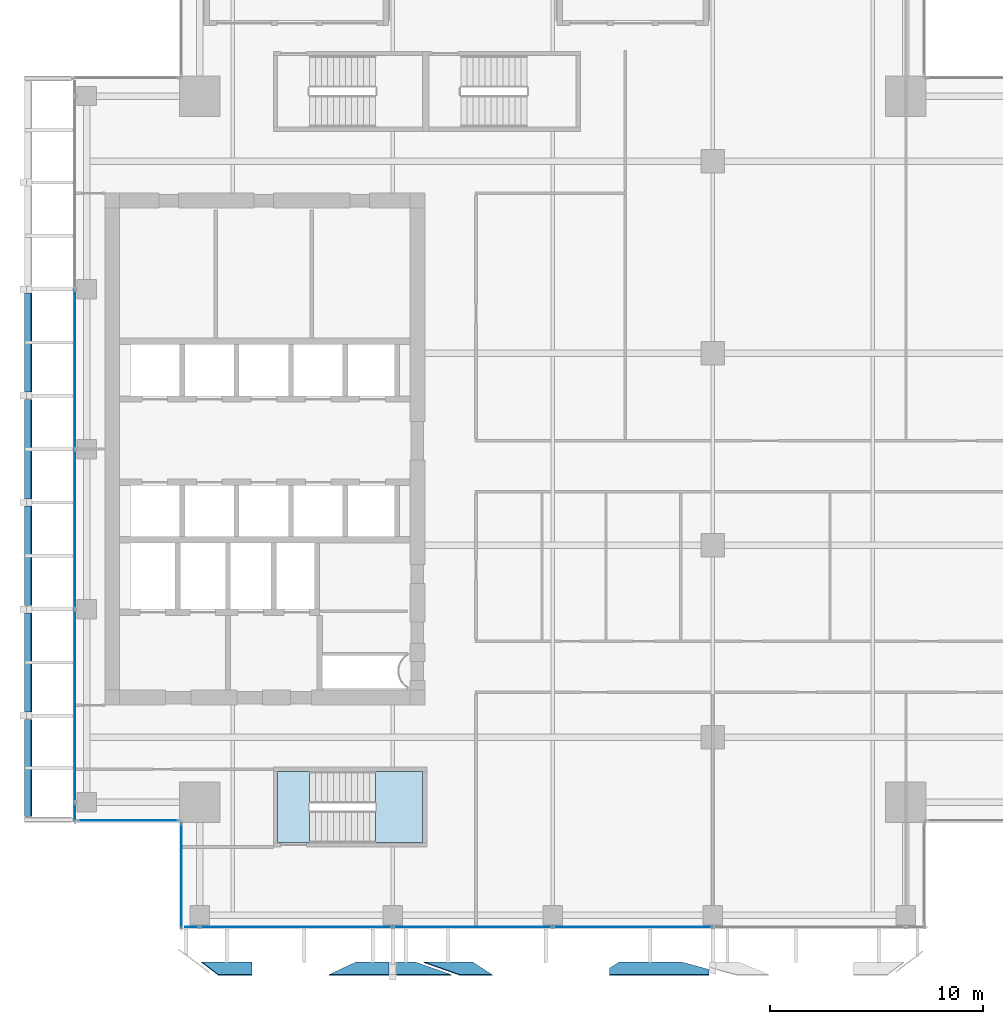
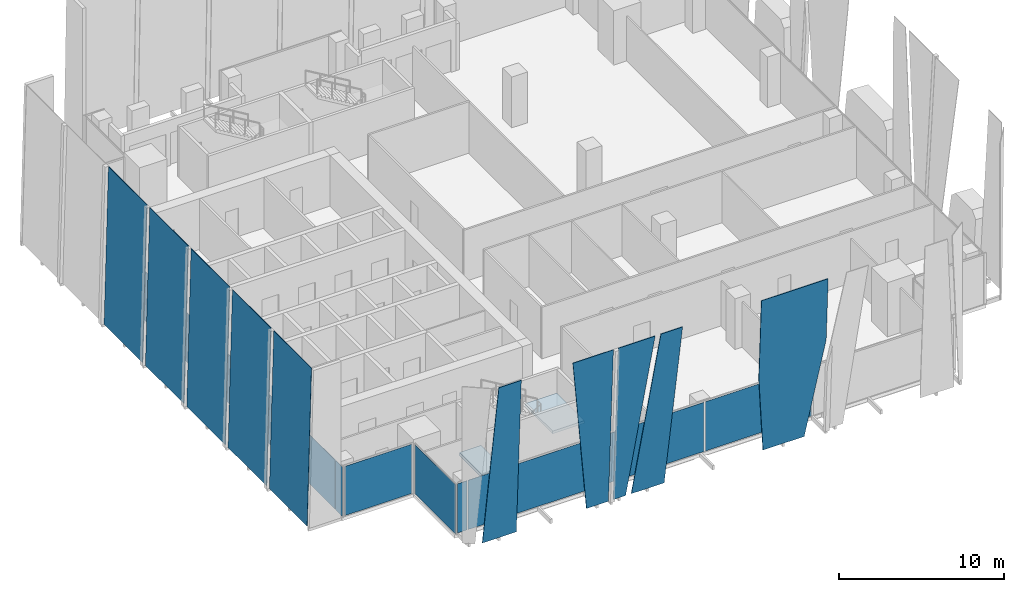
# One storey, part 21 of 33: 20 plates, 2 slabs, 5 elements without a shape of their own.
"""IFC4 building model written with IfcOpenShell, lengths in metres."""

from ifc_helpers import new_model, si_unit, direction, frame, origin, origin_2d, place, context, subcontext, project, spatial, polyline, rectangle, outline, extrude, source, transform, mapped, material, layer, layer_set, type_object, element, aggregate, save


model = new_model("IFC4")

# Units and contexts
model_context = context("Model", 3, precision=1e-05, world=origin(), true_north=direction((0.0, 1.0)))
body_context = subcontext(model_context, "Body", "Model", "MODEL_VIEW")
ifc_project = project(units=[si_unit("LENGTHUNIT", "METRE"), si_unit("AREAUNIT", "SQUARE_METRE"), si_unit("VOLUMEUNIT", "CUBIC_METRE"), si_unit("PLANEANGLEUNIT", "RADIAN"), si_unit("MASSUNIT", "GRAM", prefix="KILO")], contexts=[model_context])

# Site, building, storey
site_placement = place(None, origin())
site = spatial("IfcSite", under=ifc_project, at=site_placement, CompositionType="ELEMENT")
building_placement = place(site_placement, origin())
building = spatial("IfcBuilding", under=site, at=building_placement, Name="Khomas Fold Tower", CompositionType="ELEMENT")
storey_placement = place(building_placement, frame((0.0, 0.0, 234.199951171875)))
storey = spatial("IfcBuildingStorey", under=building, at=storey_placement, Name="L52", CompositionType="ELEMENT", Elevation=234.199951171875)

# Plates
ifc_material_1 = material(Name="Clear laminated glass", Category="glass")
ifc_layer_1 = layer(ifc_material_1, 0.0400390625)
ifc_layer_set_1 = layer_set([ifc_layer_1], Name="Clear laminated glass")
plate_type_1 = type_object("IfcPlateType", Name="SK-Clear laminated glass leaf", PredefinedType="SHEET", material=ifc_layer_set_1)
plate_1_placement = place(storey_placement, frame((12.89990234375, 2.97119140625, 0.0), z_axis=(0.0, 0.99862882819, 0.052349436554), x_axis=(-1.0, 0.0, 0.0)))
element("IfcPlate", 1, at=plate_1_placement, inside=storey, type_object=plate_type_1, Name="OUTER SKIN glass L52 SG098-1", PredefinedType="SHEET", context=body_context, shape_type="SweptSolid", body=[
    extrude(outline(polyline([(0.0, 0.0), (2.36865234375, 0.0), (1.569091796875, 11.565907674683308), (0.0, 11.565907674683308), (0.0, 0.0)])), origin(), (0.0, 0.0, -1.0), 0.0400390625),
])
plate_2_placement = place(storey_placement, frame((23.224365234375, 2.97119140625, 0.0), z_axis=(0.0, 0.99862882819, 0.052349436554), x_axis=(-1.0, 0.0, 0.0)))
element("IfcPlate", 2, at=plate_2_placement, inside=storey, type_object=plate_type_1, Name="OUTER SKIN glass L52 SG100-3", PredefinedType="SHEET", context=body_context, shape_type="SweptSolid", body=[
    extrude(outline(polyline([(0.0, 0.0), (2.28955078125, 0.0), (0.57373046875, 11.565907674683308), (-0.9384765625, 11.565907674683308), (0.0, 0.0)])), origin(), (0.0, 0.0, -1.0), 0.0400390625),
])
plate_3_placement = place(storey_placement, frame((17.80126953125, 2.97119140625, 0.0), z_axis=(0.0, 0.99862882819, 0.052349436554), x_axis=(-0.111637957414, -0.052022197367, 0.99238634485)))
element("IfcPlate", 3, at=plate_3_placement, inside=storey, type_object=plate_type_1, Name="OUTER SKIN glass L52 SG099-4", PredefinedType="SHEET", context=body_context, shape_type="SweptSolid", body=[
    extrude(outline(polyline([(0.0, 0.0), (11.638661583826925, -2.220446049250313e-16), (11.322935485515755, 2.8104462361821128), (-0.17067306868305843, 1.5192519277427825), (0.0, 0.0)])), origin(), (0.0, 0.0, -1.0), 0.0400390625),
])
plate_4_placement = place(storey_placement, frame((20.530517578125, 2.97119140625, 0.0), z_axis=(0.0, 0.99862882819, 0.052349436554), x_axis=(-1.0, 0.0, 0.0)))
element("IfcPlate", 4, at=plate_4_placement, inside=storey, type_object=plate_type_1, Name="OUTER SKIN glass L52 SG100-6", PredefinedType="SHEET", context=body_context, shape_type="SweptSolid", body=[
    extrude(outline(polyline([(0.0, 0.0), (0.860595703125, 0.0), (0.860595703125, 11.565907674683308), (-1.7158203125, 11.565907674683308), (0.0, 0.0)])), origin(), (0.0, 0.0, -1.0), 0.0400390625),
])
plate_5_placement = place(storey_placement, frame((33.00390625, 2.97119140625, 0.0), z_axis=(-9.178766e-06, 0.998628732803, 0.052351255351), x_axis=(-0.999999999958, -9.166179e-06, -4.8052e-07)))
element("IfcPlate", 5, at=plate_5_placement, inside=storey, type_object=plate_type_1, Name="OUTER SKIN glass L52 SG102-9", PredefinedType="SHEET", context=body_context, shape_type="SweptSolid", body=[
    extrude(outline(polyline([(0.0, 0.0), (2.8781738280037574, 3.0473850754336385e-22), (3.333984374385173, 5.615852425200217), (3.333984374666206, 11.565907674664128), (-1.3261718751374854, 11.565907674664128), (-1.3261718761399497, 6.904480598369583), (0.0, 0.0)])), origin(), (0.0, 0.0, -1.0), 0.0400390625),
])
plate_6_placement = place(storey_placement, frame((2.23486328125, 9.77001953125, 0.0009765625), z_axis=(-0.999657230839, 0.0, 0.026180543005), x_axis=(0.0, 1.0, 0.0)))
element("IfcPlate", 6, at=plate_6_placement, inside=storey, type_object=plate_type_1, Name="OUTER SKIN glass L52 W1", PredefinedType="SHEET", context=body_context, shape_type="SweptSolid", body=[
    extrude(outline(polyline([(0.0, 0.0), (4.56005859375, 0.0), (4.56005859375, -11.554009186164079), (0.0, -11.554009186164079), (0.0, 0.0)])), origin(), (0.0, 0.0, -1.0), 0.0400390625),
])
for number, where, z_axis, x_axis, name in (
    (7, (2.23486328125, 14.669921875, 0.0009765625), (-0.999657230839, 0.0, 0.026180543005), (0.0, 1.0, 0.0), "OUTER SKIN glass L52 W3"),
    (8, (2.23486328125, 19.669921875, 0.0009765625), (-0.999657230839, 0.0, 0.026180543005), (0.0, 1.0, 0.0), "OUTER SKIN glass L52 W5"),
    (9, (2.23486328125, 24.669921875, 0.0009765625), (-0.999657230839, 0.0, 0.026180543005), (0.0, 1.0, 0.0), "OUTER SKIN glass L52 W7"),
    (10, (2.23486328125, 29.669921875, 0.0009765625), (-0.999657230839, 0.0, 0.026180543005), (0.0, 1.0, 0.0), "OUTER SKIN glass L52 W9"),
):
    element("IfcPlate", number, at=place(storey_placement, frame(where, z_axis=z_axis, x_axis=x_axis)), inside=storey, type_object=plate_type_1, Name=name, PredefinedType="SHEET", context=body_context, shape_type="SweptSolid", body=[
        extrude(outline(polyline([(0.0, 0.0), (4.66015625, 0.0), (4.66015625, -11.554009186164079), (0.0, -11.554009186164079), (0.0, 0.0)])), origin(), (0.0, 0.0, -1.0), 0.0400390625),
    ])

# Curtain wall, plates
ifc_material_2 = material(Name="Aluminium framed double glazing", Category="aluminium")
curtain_wall_type = type_object("IfcCurtainWallType", Name="SK-Unitised clear-glass wall, office floors CW2", PredefinedType="NOTDEFINED", material=ifc_material_2)
curtain_wall_1_placement = place(storey_placement, origin())
curtain_wall_1 = element("IfcCurtainWall", 11, at=curtain_wall_1_placement, inside=storey, type_object=curtain_wall_type, Name="CW2 run L52 00-0", PredefinedType="NOTDEFINED")
ifc_material_3 = material(Name="Clear double glazed unit")
ifc_layer_2 = layer(ifc_material_3, 0.030029296875)
ifc_layer_set_2 = layer_set([ifc_layer_2], Name="Clear double glazed unit")
plate_type_2 = type_object("IfcPlateType", Name="SK-Unitised clear-glass wall, office floors glass panel CW2-P", PredefinedType="CURTAIN_PANEL", material=ifc_layer_set_2)
shared_shape_1 = source(origin(), body_context, "Body", "SweptSolid", [
    extrude(rectangle(XDim=0.659912109375, YDim=0.030029296875, at=origin_2d()), origin(), (0.0, 0.0, 1.0), 3.639892578125),
])
plate_7_placement = place(storey_placement, frame((10.090087890625, 4.60009765625, 0.0), z_axis=(0.0, 0.0, 1.0), x_axis=(1.0, 0.0, 0.0)))
plate_7 = element("IfcPlate", 12, at=plate_7_placement, type_object=plate_type_2, Name="CW2 glass panel 1", PredefinedType="CURTAIN_PANEL", context=body_context, shape_type="MappedRepresentation", body=[
    mapped(shared_shape_1, transform((0.0, 0.0, 0.0))),
])
shared_shape_2 = source(origin(), body_context, "Body", "SweptSolid", [
    extrude(rectangle(XDim=7.43994140625, YDim=0.030029296875, at=origin_2d()), origin(), (0.0, 0.0, 1.0), 3.639892578125),
])
plate_8_placement = place(storey_placement, frame((23.25, 4.60009765625, 0.0), z_axis=(0.0, 0.0, 1.0), x_axis=(1.0, 0.0, 0.0)))
plate_8 = element("IfcPlate", 13, at=plate_8_placement, type_object=plate_type_2, Name="CW2 glass panel 3", PredefinedType="CURTAIN_PANEL", context=body_context, shape_type="MappedRepresentation", body=[
    mapped(shared_shape_2, transform((0.0, 0.0, 0.0))),
])
plate_9_placement = place(storey_placement, frame((30.75, 4.60009765625, 0.0), z_axis=(0.0, 0.0, 1.0), x_axis=(1.0, 0.0, 0.0)))
plate_9 = element("IfcPlate", 14, at=plate_9_placement, type_object=plate_type_2, Name="CW2 glass panel 4", PredefinedType="CURTAIN_PANEL", context=body_context, shape_type="MappedRepresentation", body=[
    mapped(shared_shape_2, transform((0.0, 0.0, 0.0))),
])

curtain_wall_2_placement = place(storey_placement, origin())
curtain_wall_2 = element("IfcCurtainWall", 15, at=curtain_wall_2_placement, inside=storey, type_object=curtain_wall_type, Name="CW2 run L52 09-0", PredefinedType="NOTDEFINED")
plate_10_placement = place(storey_placement, frame((4.60009765625, 30.75, 0.0), z_axis=(0.0, 0.0, 1.0), x_axis=(0.0, -1.0, 0.0)))
plate_10 = element("IfcPlate", 16, at=plate_10_placement, type_object=plate_type_2, Name="CW2 glass panel 3", PredefinedType="CURTAIN_PANEL", context=body_context, shape_type="MappedRepresentation", body=[
    mapped(shared_shape_2, transform((0.0, 0.0, 0.0))),
])
plate_11_placement = place(storey_placement, frame((4.60009765625, 23.25, 0.0), z_axis=(0.0, 0.0, 1.0), x_axis=(0.0, -1.0, 0.0)))
plate_11 = element("IfcPlate", 17, at=plate_11_placement, type_object=plate_type_2, Name="CW2 glass panel 4", PredefinedType="CURTAIN_PANEL", context=body_context, shape_type="MappedRepresentation", body=[
    mapped(shared_shape_2, transform((0.0, 0.0, 0.0))),
])
shared_shape_3 = source(origin(), body_context, "Body", "SweptSolid", [
    extrude(rectangle(XDim=0.860107421875, YDim=0.030029296875, at=origin_2d()), origin(), (0.0, 0.0, 1.0), 3.639892578125),
])
plate_12_placement = place(storey_placement, frame((4.60009765625, 9.989990234375, 0.0), z_axis=(0.0, 0.0, 1.0), x_axis=(0.0, -1.0, 0.0)))
plate_12 = element("IfcPlate", 18, at=plate_12_placement, type_object=plate_type_2, Name="CW2 glass panel 6", PredefinedType="CURTAIN_PANEL", context=body_context, shape_type="MappedRepresentation", body=[
    mapped(shared_shape_3, transform((0.0, 0.0, 0.0))),
])

# Plate
shared_shape_4 = source(origin(), body_context, "Body", "SweptSolid", [
    extrude(rectangle(XDim=8.989990234375, YDim=0.030029296875, at=origin_2d()), origin(), (0.0, 0.0, 1.0), 3.639892578125),
])
plate_13_placement = place(storey_placement, frame((14.97509765625, 4.60009765625, 0.0), z_axis=(0.0, 0.0, 1.0), x_axis=(1.0, 0.0, 0.0)))
plate_13 = element("IfcPlate", 19, at=plate_13_placement, type_object=plate_type_2, Name="CW2 glass panel 2", PredefinedType="CURTAIN_PANEL", context=body_context, shape_type="MappedRepresentation", body=[
    mapped(shared_shape_4, transform((0.0, 0.0, 0.0))),
])

aggregate(curtain_wall_1, [plate_7, plate_13, plate_8, plate_9])

plate_14_placement = place(storey_placement, frame((4.60009765625, 14.97509765625, 0.0), z_axis=(0.0, 0.0, 1.0), x_axis=(0.0, -1.0, 0.0)))
plate_14 = element("IfcPlate", 20, at=plate_14_placement, type_object=plate_type_2, Name="CW2 glass panel 5", PredefinedType="CURTAIN_PANEL", context=body_context, shape_type="MappedRepresentation", body=[
    mapped(shared_shape_4, transform((0.0, 0.0, 0.0))),
])

aggregate(curtain_wall_2, [plate_10, plate_11, plate_14, plate_12])

# Curtain wall, plate
curtain_wall_3_placement = place(storey_placement, origin())
curtain_wall_3 = element("IfcCurtainWall", 21, at=curtain_wall_3_placement, inside=storey, type_object=curtain_wall_type, Name="CW2 corner return L52 10", PredefinedType="NOTDEFINED")
shared_shape_5 = source(origin(), body_context, "Body", "SweptSolid", [
    extrude(rectangle(XDim=4.679931640625, YDim=0.030029296875, at=origin_2d()), origin(), (0.0, 0.0, 1.0), 3.639892578125),
])
plate_15_placement = place(storey_placement, frame((7.10009765625, 9.60009765625, 0.0), z_axis=(0.0, 0.0, 1.0), x_axis=(1.0, 0.0, 0.0)))
plate_15 = element("IfcPlate", 22, at=plate_15_placement, type_object=plate_type_2, Name="CW2 glass panel 1", PredefinedType="CURTAIN_PANEL", context=body_context, shape_type="MappedRepresentation", body=[
    mapped(shared_shape_5, transform((0.0, 0.0, 0.0))),
])
aggregate(curtain_wall_3, [plate_15])

curtain_wall_4_placement = place(storey_placement, origin())
curtain_wall_4 = element("IfcCurtainWall", 23, at=curtain_wall_4_placement, inside=storey, type_object=curtain_wall_type, Name="CW2 corner return L52 11", PredefinedType="NOTDEFINED")
shared_shape_6 = source(origin(), body_context, "Body", "SweptSolid", [
    extrude(rectangle(XDim=4.8798828125, YDim=0.030029296875, at=origin_2d()), origin(), (0.0, 0.0, 1.0), 3.639892578125),
])
plate_16_placement = place(storey_placement, frame((9.60009765625, 7.0, 0.0), z_axis=(0.0, 0.0, 1.0), x_axis=(0.0, -1.0, 0.0)))
plate_16 = element("IfcPlate", 24, at=plate_16_placement, type_object=plate_type_2, Name="CW2 glass panel 1", PredefinedType="CURTAIN_PANEL", context=body_context, shape_type="MappedRepresentation", body=[
    mapped(shared_shape_6, transform((0.0, 0.0, 0.0))),
])
aggregate(curtain_wall_4, [plate_16])

# Stair, slab
ifc_material_4 = material(Name="Concrete C40/50", Category="concrete")
stair_type = type_object("IfcStairType", Name="Stair ST2", PredefinedType="HALF_TURN_STAIR", material=ifc_material_4)
stair_placement = place(storey_placement, origin())
stair = element("IfcStair", 25, at=stair_placement, inside=storey, type_object=stair_type, Name="L52 ST2", PredefinedType="HALF_TURN_STAIR")
ifc_material_5 = material(Name="Concrete C40/50", Category="concrete")
ifc_layer_3 = layer(ifc_material_5, 0.199951171875)
ifc_layer_set_3 = layer_set([ifc_layer_3], Name="Concrete C40/50")
slab_type_1 = type_object("IfcSlabType", Name="Stair landing 200", PredefinedType="LANDING", material=ifc_layer_set_3)
shared_shape_7 = source(origin(), body_context, "Body", "SweptSolid", [
    extrude(outline(polyline([(18.679931640625, 8.550048828125), (20.89990234375, 8.550048828125), (20.89990234375, 11.89990234375), (18.679931640625, 11.89990234375), (18.679931640625, 8.550048828125)])), origin(), (0.0, 0.0, 1.0), 0.199951171875),
])
slab_1_placement = place(storey_placement, frame((0.0, 0.0, 1.800048828125)))
slab_1 = element("IfcSlab", 26, at=slab_1_placement, type_object=slab_type_1, Name="ST2 landing 1", PredefinedType="LANDING", context=body_context, shape_type="MappedRepresentation", body=[
    mapped(shared_shape_7, transform((0.0, 0.0, 0.0))),
])
aggregate(stair, [slab_1])

# Slab
ifc_material_6 = material(Name="Concrete C40/50", Category="concrete")
ifc_layer_4 = layer(ifc_material_6, 0.25)
ifc_layer_set_4 = layer_set([ifc_layer_4], Name="Concrete C40/50")
slab_type_2 = type_object("IfcSlabType", Name="Stair floor landing 250", PredefinedType="LANDING", material=ifc_layer_set_4)
shared_shape_8 = source(origin(), body_context, "Body", "SweptSolid", [
    extrude(outline(polyline([(15.60009765625, 8.550048828125), (14.10009765625, 8.550048828125), (14.10009765625, 11.89990234375), (15.60009765625, 11.89990234375), (15.60009765625, 8.550048828125)])), origin(), (0.0, 0.0, 1.0), 0.25),
])
slab_2_placement = place(storey_placement, frame((0.0, 0.0, -0.25)))
element("IfcSlab", 27, at=slab_2_placement, inside=storey, type_object=slab_type_2, Name="ST2 floor landing", PredefinedType="LANDING", context=body_context, shape_type="MappedRepresentation", body=[
    mapped(shared_shape_8, transform((0.0, 0.0, 0.0))),
])

save(model, "model.ifc")
